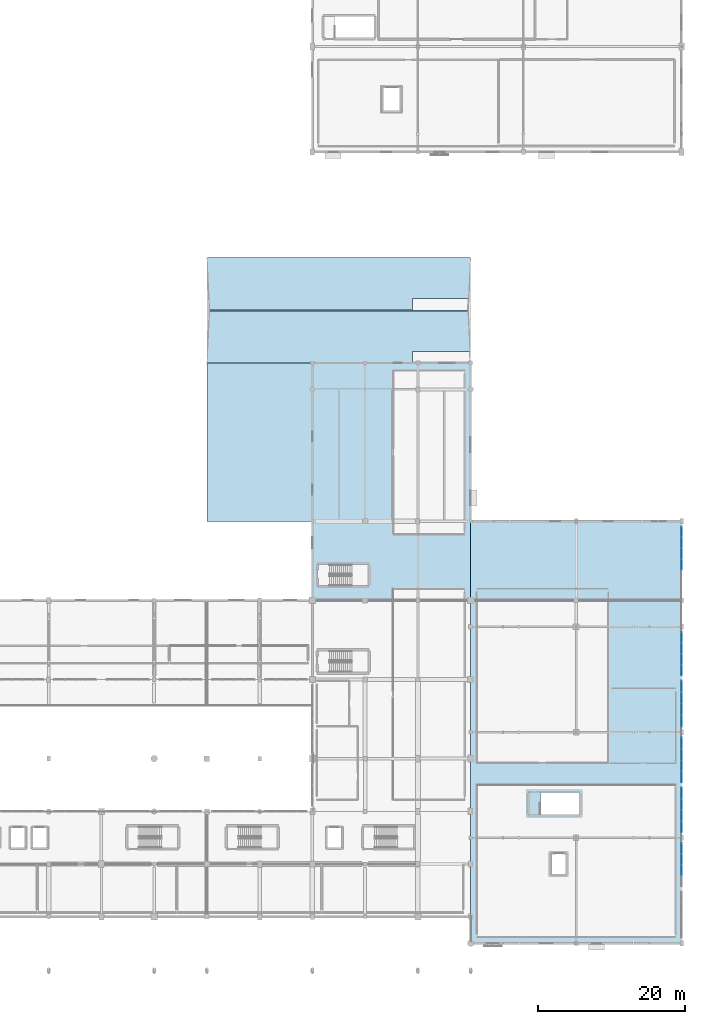
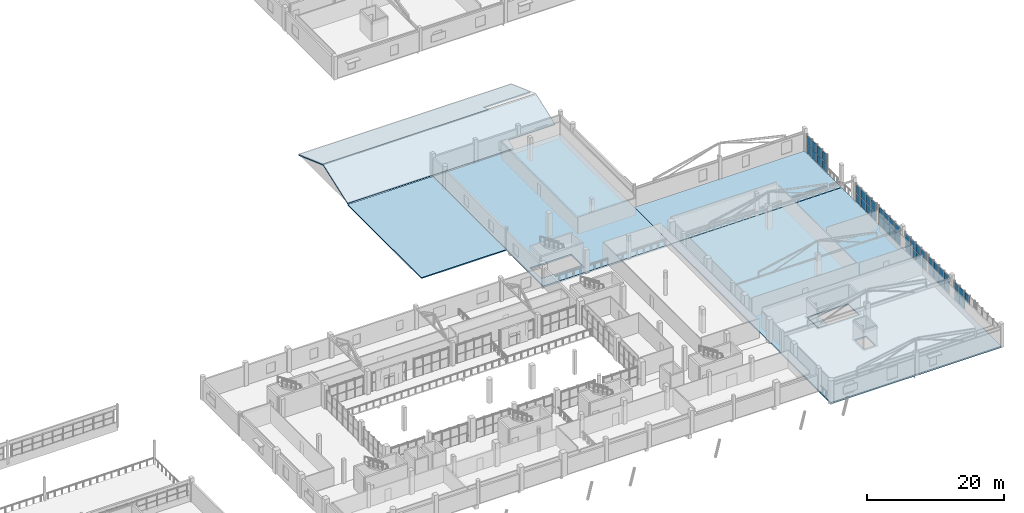
# One storey, part 57 of 92: 45 plates, 7 slabs, 6 elements without a shape of their own.
"""IFC4 building model written with IfcOpenShell, lengths in metres."""

from ifc_helpers import new_model, si_unit, direction, frame, origin, origin_2d, place, context, subcontext, project, spatial, polyline, rectangle, outline, extrude, material, layer, layer_set, type_object, element, aggregate, save


model = new_model("IFC4")

# Units and contexts
model_context = context("Model", 3, precision=1e-05, world=origin(), true_north=direction((0.0, 1.0)))
body_context = subcontext(model_context, "Body", "Model", "MODEL_VIEW")
ifc_project = project(units=[si_unit("LENGTHUNIT", "METRE"), si_unit("AREAUNIT", "SQUARE_METRE"), si_unit("VOLUMEUNIT", "CUBIC_METRE"), si_unit("PLANEANGLEUNIT", "RADIAN"), si_unit("MASSUNIT", "GRAM", prefix="KILO")], contexts=[model_context])

# Site, building, storey
site_placement = place(None, origin())
site = spatial("IfcSite", under=ifc_project, at=site_placement, CompositionType="ELEMENT")
building_placement = place(site_placement, origin())
building = spatial("IfcBuilding", under=site, at=building_placement, Name="Solanera Park Tramway Depot", CompositionType="ELEMENT")
storey_placement = place(building_placement, frame((0.0, 0.0, 4.800048828125)))
storey = spatial("IfcBuildingStorey", under=building, at=storey_placement, Name="L01", CompositionType="ELEMENT", Elevation=4.800048828125)

# Curtain wall, plates
ifc_material_1 = material(Name="Bronze-anodised thermally broken aluminium curtain wall", Category="aluminium")
curtain_wall_type = type_object("IfcCurtainWallType", Name="Parkfront Loggia Curtain Wall", PredefinedType="NOTDEFINED", material=ifc_material_1)
curtain_wall_1_placement = place(storey_placement, origin())
curtain_wall_1 = element("IfcCurtainWall", 1, at=curtain_wall_1_placement, inside=storey, type_object=curtain_wall_type, Name="L01 Parkfront Loggia Curtain Wall #134", PredefinedType="NOTDEFINED")
ifc_material_2 = material(Name="Low-E laminated solar-control double glazing", Category="glass")
ifc_layer_1 = layer(ifc_material_2, 0.028076171875)
ifc_layer_set_1 = layer_set([ifc_layer_1], Name="Low-E laminated solar-control double glazing")
plate_type = type_object("IfcPlateType", Name="Curtain Wall Double Glazing Panel 28", PredefinedType="CURTAIN_PANEL", material=ifc_layer_set_1)
plate_1_placement = place(storey_placement, frame((216.0, 18.64990234375, 0.11181640625), z_axis=(0.0, 0.0, 1.0), x_axis=(0.0, 1.0, 0.0)))
plate_1 = element("IfcPlate", 2, at=plate_1_placement, type_object=plate_type, Name="CW-L01-134 Glazing Panel R1.C3", PredefinedType="CURTAIN_PANEL", context=body_context, shape_type="SweptSolid", body=[
    extrude(rectangle(XDim=1.447998046875, YDim=0.028076171875, at=origin_2d()), origin(), (0.0, 0.0, 1.0), 1.510986328125),
])
plate_2_placement = place(storey_placement, frame((216.0, 20.1337890625, 0.11181640625), z_axis=(0.0, 0.0, 1.0), x_axis=(0.0, 1.0, 0.0)))
plate_2 = element("IfcPlate", 3, at=plate_2_placement, type_object=plate_type, Name="CW-L01-134 Glazing Panel R1.C4", PredefinedType="CURTAIN_PANEL", context=body_context, shape_type="SweptSolid", body=[
    extrude(rectangle(XDim=1.41552734375, YDim=0.028076171875, at=origin_2d()), origin(), (0.0, 0.0, 1.0), 1.510986328125),
])
plate_3_placement = place(storey_placement, frame((216.0, 17.14990234375, 1.72705078125), z_axis=(0.0, 0.0, 1.0), x_axis=(0.0, 1.0, 0.0)))
plate_3 = element("IfcPlate", 4, at=plate_3_placement, type_object=plate_type, Name="CW-L01-134 Glazing Panel R2.C2", PredefinedType="CURTAIN_PANEL", context=body_context, shape_type="SweptSolid", body=[
    extrude(rectangle(XDim=1.447998046875, YDim=0.028076171875, at=origin_2d()), origin(), (0.0, 0.0, 1.0), 1.510986328125),
])
plate_4_placement = place(storey_placement, frame((216.0, 18.64990234375, 1.72705078125), z_axis=(0.0, 0.0, 1.0), x_axis=(0.0, 1.0, 0.0)))
plate_4 = element("IfcPlate", 5, at=plate_4_placement, type_object=plate_type, Name="CW-L01-134 Glazing Panel R2.C3", PredefinedType="CURTAIN_PANEL", context=body_context, shape_type="SweptSolid", body=[
    extrude(rectangle(XDim=1.447998046875, YDim=0.028076171875, at=origin_2d()), origin(), (0.0, 0.0, 1.0), 1.510986328125),
])
plate_5_placement = place(storey_placement, frame((216.0, 20.1337890625, 1.72705078125), z_axis=(0.0, 0.0, 1.0), x_axis=(0.0, 1.0, 0.0)))
plate_5 = element("IfcPlate", 6, at=plate_5_placement, type_object=plate_type, Name="CW-L01-134 Glazing Panel R2.C4", PredefinedType="CURTAIN_PANEL", context=body_context, shape_type="SweptSolid", body=[
    extrude(rectangle(XDim=1.41552734375, YDim=0.028076171875, at=origin_2d()), origin(), (0.0, 0.0, 1.0), 1.510986328125),
])
aggregate(curtain_wall_1, [plate_1, plate_2, plate_3, plate_4, plate_5])

curtain_wall_2_placement = place(storey_placement, origin())
curtain_wall_2 = element("IfcCurtainWall", 7, at=curtain_wall_2_placement, inside=storey, type_object=curtain_wall_type, Name="L01 Parkfront Loggia Curtain Wall #135", PredefinedType="NOTDEFINED")
plate_6_placement = place(storey_placement, frame((216.0, 23.09130859375, 0.11181640625), z_axis=(0.0, 0.0, 1.0), x_axis=(0.0, 1.0, 0.0)))
plate_6 = element("IfcPlate", 8, at=plate_6_placement, type_object=plate_type, Name="CW-L01-135 Glazing Panel R1.C1", PredefinedType="CURTAIN_PANEL", context=body_context, shape_type="SweptSolid", body=[
    extrude(rectangle(XDim=1.465576171875, YDim=0.028076171875, at=origin_2d()), origin(), (0.0, 0.0, 1.0), 1.510986328125),
])
plate_7_placement = place(storey_placement, frame((216.0, 24.625, 0.11181640625), z_axis=(0.0, 0.0, 1.0), x_axis=(0.0, 1.0, 0.0)))
plate_7 = element("IfcPlate", 9, at=plate_7_placement, type_object=plate_type, Name="CW-L01-135 Glazing Panel R1.C2", PredefinedType="CURTAIN_PANEL", context=body_context, shape_type="SweptSolid", body=[
    extrude(rectangle(XDim=1.498046875, YDim=0.028076171875, at=origin_2d()), origin(), (0.0, 0.0, 1.0), 1.510986328125),
])
plate_8_placement = place(storey_placement, frame((216.0, 26.175048828125, 0.11181640625), z_axis=(0.0, 0.0, 1.0), x_axis=(0.0, 1.0, 0.0)))
plate_8 = element("IfcPlate", 10, at=plate_8_placement, type_object=plate_type, Name="CW-L01-135 Glazing Panel R1.C3", PredefinedType="CURTAIN_PANEL", context=body_context, shape_type="SweptSolid", body=[
    extrude(rectangle(XDim=1.498046875, YDim=0.028076171875, at=origin_2d()), origin(), (0.0, 0.0, 1.0), 1.510986328125),
])
plate_9_placement = place(storey_placement, frame((216.0, 27.708740234375, 0.11181640625), z_axis=(0.0, 0.0, 1.0), x_axis=(0.0, 1.0, 0.0)))
plate_9 = element("IfcPlate", 11, at=plate_9_placement, type_object=plate_type, Name="CW-L01-135 Glazing Panel R1.C4", PredefinedType="CURTAIN_PANEL", context=body_context, shape_type="SweptSolid", body=[
    extrude(rectangle(XDim=1.465576171875, YDim=0.028076171875, at=origin_2d()), origin(), (0.0, 0.0, 1.0), 1.510986328125),
])
plate_10_placement = place(storey_placement, frame((216.0, 23.09130859375, 1.72705078125), z_axis=(0.0, 0.0, 1.0), x_axis=(0.0, 1.0, 0.0)))
plate_10 = element("IfcPlate", 12, at=plate_10_placement, type_object=plate_type, Name="CW-L01-135 Glazing Panel R2.C1", PredefinedType="CURTAIN_PANEL", context=body_context, shape_type="SweptSolid", body=[
    extrude(rectangle(XDim=1.465576171875, YDim=0.028076171875, at=origin_2d()), origin(), (0.0, 0.0, 1.0), 1.510986328125),
])
plate_11_placement = place(storey_placement, frame((216.0, 24.625, 1.72705078125), z_axis=(0.0, 0.0, 1.0), x_axis=(0.0, 1.0, 0.0)))
plate_11 = element("IfcPlate", 13, at=plate_11_placement, type_object=plate_type, Name="CW-L01-135 Glazing Panel R2.C2", PredefinedType="CURTAIN_PANEL", context=body_context, shape_type="SweptSolid", body=[
    extrude(rectangle(XDim=1.498046875, YDim=0.028076171875, at=origin_2d()), origin(), (0.0, 0.0, 1.0), 1.510986328125),
])
plate_12_placement = place(storey_placement, frame((216.0, 26.175048828125, 1.72705078125), z_axis=(0.0, 0.0, 1.0), x_axis=(0.0, 1.0, 0.0)))
plate_12 = element("IfcPlate", 14, at=plate_12_placement, type_object=plate_type, Name="CW-L01-135 Glazing Panel R2.C3", PredefinedType="CURTAIN_PANEL", context=body_context, shape_type="SweptSolid", body=[
    extrude(rectangle(XDim=1.498046875, YDim=0.028076171875, at=origin_2d()), origin(), (0.0, 0.0, 1.0), 1.510986328125),
])
plate_13_placement = place(storey_placement, frame((216.0, 27.708740234375, 1.72705078125), z_axis=(0.0, 0.0, 1.0), x_axis=(0.0, 1.0, 0.0)))
plate_13 = element("IfcPlate", 15, at=plate_13_placement, type_object=plate_type, Name="CW-L01-135 Glazing Panel R2.C4", PredefinedType="CURTAIN_PANEL", context=body_context, shape_type="SweptSolid", body=[
    extrude(rectangle(XDim=1.465576171875, YDim=0.028076171875, at=origin_2d()), origin(), (0.0, 0.0, 1.0), 1.510986328125),
])
aggregate(curtain_wall_2, [plate_6, plate_7, plate_8, plate_9, plate_10, plate_11, plate_12, plate_13])

curtain_wall_3_placement = place(storey_placement, origin())
curtain_wall_3 = element("IfcCurtainWall", 16, at=curtain_wall_3_placement, inside=storey, type_object=curtain_wall_type, Name="L01 Parkfront Loggia Curtain Wall #136", PredefinedType="NOTDEFINED")
plate_14_placement = place(storey_placement, frame((216.0, 29.89111328125, 0.11181640625), z_axis=(0.0, 0.0, 1.0), x_axis=(0.0, 1.0, 0.0)))
plate_14 = element("IfcPlate", 17, at=plate_14_placement, type_object=plate_type, Name="CW-L01-136 Glazing Panel R1.C1", PredefinedType="CURTAIN_PANEL", context=body_context, shape_type="SweptSolid", body=[
    extrude(rectangle(XDim=1.465576171875, YDim=0.028076171875, at=origin_2d()), origin(), (0.0, 0.0, 1.0), 1.510986328125),
])
plate_15_placement = place(storey_placement, frame((216.0, 31.425048828125, 0.11181640625), z_axis=(0.0, 0.0, 1.0), x_axis=(0.0, 1.0, 0.0)))
plate_15 = element("IfcPlate", 18, at=plate_15_placement, type_object=plate_type, Name="CW-L01-136 Glazing Panel R1.C2", PredefinedType="CURTAIN_PANEL", context=body_context, shape_type="SweptSolid", body=[
    extrude(rectangle(XDim=1.498046875, YDim=0.028076171875, at=origin_2d()), origin(), (0.0, 0.0, 1.0), 1.510986328125),
])
plate_16_placement = place(storey_placement, frame((216.0, 32.97509765625, 0.11181640625), z_axis=(0.0, 0.0, 1.0), x_axis=(0.0, 1.0, 0.0)))
plate_16 = element("IfcPlate", 19, at=plate_16_placement, type_object=plate_type, Name="CW-L01-136 Glazing Panel R1.C3", PredefinedType="CURTAIN_PANEL", context=body_context, shape_type="SweptSolid", body=[
    extrude(rectangle(XDim=1.498046875, YDim=0.028076171875, at=origin_2d()), origin(), (0.0, 0.0, 1.0), 1.510986328125),
])
plate_17_placement = place(storey_placement, frame((216.0, 34.5087890625, 0.11181640625), z_axis=(0.0, 0.0, 1.0), x_axis=(0.0, 1.0, 0.0)))
plate_17 = element("IfcPlate", 20, at=plate_17_placement, type_object=plate_type, Name="CW-L01-136 Glazing Panel R1.C4", PredefinedType="CURTAIN_PANEL", context=body_context, shape_type="SweptSolid", body=[
    extrude(rectangle(XDim=1.465576171875, YDim=0.028076171875, at=origin_2d()), origin(), (0.0, 0.0, 1.0), 1.510986328125),
])
plate_18_placement = place(storey_placement, frame((216.0, 29.89111328125, 1.72705078125), z_axis=(0.0, 0.0, 1.0), x_axis=(0.0, 1.0, 0.0)))
plate_18 = element("IfcPlate", 21, at=plate_18_placement, type_object=plate_type, Name="CW-L01-136 Glazing Panel R2.C1", PredefinedType="CURTAIN_PANEL", context=body_context, shape_type="SweptSolid", body=[
    extrude(rectangle(XDim=1.465576171875, YDim=0.028076171875, at=origin_2d()), origin(), (0.0, 0.0, 1.0), 1.510986328125),
])
plate_19_placement = place(storey_placement, frame((216.0, 31.425048828125, 1.72705078125), z_axis=(0.0, 0.0, 1.0), x_axis=(0.0, 1.0, 0.0)))
plate_19 = element("IfcPlate", 22, at=plate_19_placement, type_object=plate_type, Name="CW-L01-136 Glazing Panel R2.C2", PredefinedType="CURTAIN_PANEL", context=body_context, shape_type="SweptSolid", body=[
    extrude(rectangle(XDim=1.498046875, YDim=0.028076171875, at=origin_2d()), origin(), (0.0, 0.0, 1.0), 1.510986328125),
])
plate_20_placement = place(storey_placement, frame((216.0, 32.97509765625, 1.72705078125), z_axis=(0.0, 0.0, 1.0), x_axis=(0.0, 1.0, 0.0)))
plate_20 = element("IfcPlate", 23, at=plate_20_placement, type_object=plate_type, Name="CW-L01-136 Glazing Panel R2.C3", PredefinedType="CURTAIN_PANEL", context=body_context, shape_type="SweptSolid", body=[
    extrude(rectangle(XDim=1.498046875, YDim=0.028076171875, at=origin_2d()), origin(), (0.0, 0.0, 1.0), 1.510986328125),
])
plate_21_placement = place(storey_placement, frame((216.0, 34.5087890625, 1.72705078125), z_axis=(0.0, 0.0, 1.0), x_axis=(0.0, 1.0, 0.0)))
plate_21 = element("IfcPlate", 24, at=plate_21_placement, type_object=plate_type, Name="CW-L01-136 Glazing Panel R2.C4", PredefinedType="CURTAIN_PANEL", context=body_context, shape_type="SweptSolid", body=[
    extrude(rectangle(XDim=1.465576171875, YDim=0.028076171875, at=origin_2d()), origin(), (0.0, 0.0, 1.0), 1.510986328125),
])
aggregate(curtain_wall_3, [plate_14, plate_15, plate_16, plate_17, plate_18, plate_19, plate_20, plate_21])

curtain_wall_4_placement = place(storey_placement, origin())
curtain_wall_4 = element("IfcCurtainWall", 25, at=curtain_wall_4_placement, inside=storey, type_object=curtain_wall_type, Name="L01 Parkfront Loggia Curtain Wall #137", PredefinedType="NOTDEFINED")
plate_22_placement = place(storey_placement, frame((216.0, 37.51611328125, 0.11181640625), z_axis=(0.0, 0.0, 1.0), x_axis=(0.0, 1.0, 0.0)))
plate_22 = element("IfcPlate", 26, at=plate_22_placement, type_object=plate_type, Name="CW-L01-137 Glazing Panel R1.C1", PredefinedType="CURTAIN_PANEL", context=body_context, shape_type="SweptSolid", body=[
    extrude(rectangle(XDim=1.515380859375, YDim=0.028076171875, at=origin_2d()), origin(), (0.0, 0.0, 1.0), 1.510986328125),
])
plate_23_placement = place(storey_placement, frame((216.0, 39.10009765625, 0.11181640625), z_axis=(0.0, 0.0, 1.0), x_axis=(0.0, 1.0, 0.0)))
plate_23 = element("IfcPlate", 27, at=plate_23_placement, type_object=plate_type, Name="CW-L01-137 Glazing Panel R1.C2", PredefinedType="CURTAIN_PANEL", context=body_context, shape_type="SweptSolid", body=[
    extrude(rectangle(XDim=1.548095703125, YDim=0.028076171875, at=origin_2d()), origin(), (0.0, 0.0, 1.0), 1.510986328125),
])
plate_24_placement = place(storey_placement, frame((216.0, 40.699951171875, 0.11181640625), z_axis=(0.0, 0.0, 1.0), x_axis=(0.0, 1.0, 0.0)))
plate_24 = element("IfcPlate", 28, at=plate_24_placement, type_object=plate_type, Name="CW-L01-137 Glazing Panel R1.C3", PredefinedType="CURTAIN_PANEL", context=body_context, shape_type="SweptSolid", body=[
    extrude(rectangle(XDim=1.548095703125, YDim=0.028076171875, at=origin_2d()), origin(), (0.0, 0.0, 1.0), 1.510986328125),
])
plate_25_placement = place(storey_placement, frame((216.0, 42.28369140625, 0.11181640625), z_axis=(0.0, 0.0, 1.0), x_axis=(0.0, 1.0, 0.0)))
plate_25 = element("IfcPlate", 29, at=plate_25_placement, type_object=plate_type, Name="CW-L01-137 Glazing Panel R1.C4", PredefinedType="CURTAIN_PANEL", context=body_context, shape_type="SweptSolid", body=[
    extrude(rectangle(XDim=1.515380859375, YDim=0.028076171875, at=origin_2d()), origin(), (0.0, 0.0, 1.0), 1.510986328125),
])
plate_26_placement = place(storey_placement, frame((216.0, 37.51611328125, 1.72705078125), z_axis=(0.0, 0.0, 1.0), x_axis=(0.0, 1.0, 0.0)))
plate_26 = element("IfcPlate", 30, at=plate_26_placement, type_object=plate_type, Name="CW-L01-137 Glazing Panel R2.C1", PredefinedType="CURTAIN_PANEL", context=body_context, shape_type="SweptSolid", body=[
    extrude(rectangle(XDim=1.515380859375, YDim=0.028076171875, at=origin_2d()), origin(), (0.0, 0.0, 1.0), 1.510986328125),
])
plate_27_placement = place(storey_placement, frame((216.0, 39.10009765625, 1.72705078125), z_axis=(0.0, 0.0, 1.0), x_axis=(0.0, 1.0, 0.0)))
plate_27 = element("IfcPlate", 31, at=plate_27_placement, type_object=plate_type, Name="CW-L01-137 Glazing Panel R2.C2", PredefinedType="CURTAIN_PANEL", context=body_context, shape_type="SweptSolid", body=[
    extrude(rectangle(XDim=1.548095703125, YDim=0.028076171875, at=origin_2d()), origin(), (0.0, 0.0, 1.0), 1.510986328125),
])
plate_28_placement = place(storey_placement, frame((216.0, 40.699951171875, 1.72705078125), z_axis=(0.0, 0.0, 1.0), x_axis=(0.0, 1.0, 0.0)))
plate_28 = element("IfcPlate", 32, at=plate_28_placement, type_object=plate_type, Name="CW-L01-137 Glazing Panel R2.C3", PredefinedType="CURTAIN_PANEL", context=body_context, shape_type="SweptSolid", body=[
    extrude(rectangle(XDim=1.548095703125, YDim=0.028076171875, at=origin_2d()), origin(), (0.0, 0.0, 1.0), 1.510986328125),
])
plate_29_placement = place(storey_placement, frame((216.0, 42.28369140625, 1.72705078125), z_axis=(0.0, 0.0, 1.0), x_axis=(0.0, 1.0, 0.0)))
plate_29 = element("IfcPlate", 33, at=plate_29_placement, type_object=plate_type, Name="CW-L01-137 Glazing Panel R2.C4", PredefinedType="CURTAIN_PANEL", context=body_context, shape_type="SweptSolid", body=[
    extrude(rectangle(XDim=1.515380859375, YDim=0.028076171875, at=origin_2d()), origin(), (0.0, 0.0, 1.0), 1.510986328125),
])
aggregate(curtain_wall_4, [plate_22, plate_23, plate_24, plate_25, plate_26, plate_27, plate_28, plate_29])

curtain_wall_5_placement = place(storey_placement, origin())
curtain_wall_5 = element("IfcCurtainWall", 34, at=curtain_wall_5_placement, inside=storey, type_object=curtain_wall_type, Name="L01 Parkfront Loggia Curtain Wall #138", PredefinedType="NOTDEFINED")
plate_30_placement = place(storey_placement, frame((216.0, 44.46630859375, 0.11181640625), z_axis=(0.0, 0.0, 1.0), x_axis=(0.0, 1.0, 0.0)))
plate_30 = element("IfcPlate", 35, at=plate_30_placement, type_object=plate_type, Name="CW-L01-138 Glazing Panel R1.C1", PredefinedType="CURTAIN_PANEL", context=body_context, shape_type="SweptSolid", body=[
    extrude(rectangle(XDim=1.41552734375, YDim=0.028076171875, at=origin_2d()), origin(), (0.0, 0.0, 1.0), 1.510986328125),
])
plate_31_placement = place(storey_placement, frame((216.0, 45.949951171875, 0.11181640625), z_axis=(0.0, 0.0, 1.0), x_axis=(0.0, 1.0, 0.0)))
plate_31 = element("IfcPlate", 36, at=plate_31_placement, type_object=plate_type, Name="CW-L01-138 Glazing Panel R1.C2", PredefinedType="CURTAIN_PANEL", context=body_context, shape_type="SweptSolid", body=[
    extrude(rectangle(XDim=1.447998046875, YDim=0.028076171875, at=origin_2d()), origin(), (0.0, 0.0, 1.0), 1.510986328125),
])
plate_32_placement = place(storey_placement, frame((216.0, 47.449951171875, 0.11181640625), z_axis=(0.0, 0.0, 1.0), x_axis=(0.0, 1.0, 0.0)))
plate_32 = element("IfcPlate", 37, at=plate_32_placement, type_object=plate_type, Name="CW-L01-138 Glazing Panel R1.C3", PredefinedType="CURTAIN_PANEL", context=body_context, shape_type="SweptSolid", body=[
    extrude(rectangle(XDim=1.447998046875, YDim=0.028076171875, at=origin_2d()), origin(), (0.0, 0.0, 1.0), 1.510986328125),
])
plate_33_placement = place(storey_placement, frame((216.0, 48.933837890625, 0.11181640625), z_axis=(0.0, 0.0, 1.0), x_axis=(0.0, 1.0, 0.0)))
plate_33 = element("IfcPlate", 38, at=plate_33_placement, type_object=plate_type, Name="CW-L01-138 Glazing Panel R1.C4", PredefinedType="CURTAIN_PANEL", context=body_context, shape_type="SweptSolid", body=[
    extrude(rectangle(XDim=1.41552734375, YDim=0.028076171875, at=origin_2d()), origin(), (0.0, 0.0, 1.0), 1.510986328125),
])
plate_34_placement = place(storey_placement, frame((216.0, 44.46630859375, 1.72705078125), z_axis=(0.0, 0.0, 1.0), x_axis=(0.0, 1.0, 0.0)))
plate_34 = element("IfcPlate", 39, at=plate_34_placement, type_object=plate_type, Name="CW-L01-138 Glazing Panel R2.C1", PredefinedType="CURTAIN_PANEL", context=body_context, shape_type="SweptSolid", body=[
    extrude(rectangle(XDim=1.41552734375, YDim=0.028076171875, at=origin_2d()), origin(), (0.0, 0.0, 1.0), 1.510986328125),
])
plate_35_placement = place(storey_placement, frame((216.0, 45.949951171875, 1.72705078125), z_axis=(0.0, 0.0, 1.0), x_axis=(0.0, 1.0, 0.0)))
plate_35 = element("IfcPlate", 40, at=plate_35_placement, type_object=plate_type, Name="CW-L01-138 Glazing Panel R2.C2", PredefinedType="CURTAIN_PANEL", context=body_context, shape_type="SweptSolid", body=[
    extrude(rectangle(XDim=1.447998046875, YDim=0.028076171875, at=origin_2d()), origin(), (0.0, 0.0, 1.0), 1.510986328125),
])
plate_36_placement = place(storey_placement, frame((216.0, 47.449951171875, 1.72705078125), z_axis=(0.0, 0.0, 1.0), x_axis=(0.0, 1.0, 0.0)))
plate_36 = element("IfcPlate", 41, at=plate_36_placement, type_object=plate_type, Name="CW-L01-138 Glazing Panel R2.C3", PredefinedType="CURTAIN_PANEL", context=body_context, shape_type="SweptSolid", body=[
    extrude(rectangle(XDim=1.447998046875, YDim=0.028076171875, at=origin_2d()), origin(), (0.0, 0.0, 1.0), 1.510986328125),
])
plate_37_placement = place(storey_placement, frame((216.0, 48.933837890625, 1.72705078125), z_axis=(0.0, 0.0, 1.0), x_axis=(0.0, 1.0, 0.0)))
plate_37 = element("IfcPlate", 42, at=plate_37_placement, type_object=plate_type, Name="CW-L01-138 Glazing Panel R2.C4", PredefinedType="CURTAIN_PANEL", context=body_context, shape_type="SweptSolid", body=[
    extrude(rectangle(XDim=1.41552734375, YDim=0.028076171875, at=origin_2d()), origin(), (0.0, 0.0, 1.0), 1.510986328125),
])
aggregate(curtain_wall_5, [plate_30, plate_31, plate_32, plate_33, plate_34, plate_35, plate_36, plate_37])

curtain_wall_6_placement = place(storey_placement, origin())
curtain_wall_6 = element("IfcCurtainWall", 43, at=curtain_wall_6_placement, inside=storey, type_object=curtain_wall_type, Name="L01 Parkfront Loggia Curtain Wall #139", PredefinedType="NOTDEFINED")
plate_38_placement = place(storey_placement, frame((216.0, 58.8662109375, 0.11181640625), z_axis=(0.0, 0.0, 1.0), x_axis=(0.0, 1.0, 0.0)))
plate_38 = element("IfcPlate", 44, at=plate_38_placement, type_object=plate_type, Name="CW-L01-139 Glazing Panel R1.C1", PredefinedType="CURTAIN_PANEL", context=body_context, shape_type="SweptSolid", body=[
    extrude(rectangle(XDim=1.41552734375, YDim=0.028076171875, at=origin_2d()), origin(), (0.0, 0.0, 1.0), 1.510986328125),
])
plate_39_placement = place(storey_placement, frame((216.0, 60.35009765625, 0.11181640625), z_axis=(0.0, 0.0, 1.0), x_axis=(0.0, 1.0, 0.0)))
plate_39 = element("IfcPlate", 45, at=plate_39_placement, type_object=plate_type, Name="CW-L01-139 Glazing Panel R1.C2", PredefinedType="CURTAIN_PANEL", context=body_context, shape_type="SweptSolid", body=[
    extrude(rectangle(XDim=1.447998046875, YDim=0.028076171875, at=origin_2d()), origin(), (0.0, 0.0, 1.0), 1.510986328125),
])
plate_40_placement = place(storey_placement, frame((216.0, 61.85009765625, 0.11181640625), z_axis=(0.0, 0.0, 1.0), x_axis=(0.0, 1.0, 0.0)))
plate_40 = element("IfcPlate", 46, at=plate_40_placement, type_object=plate_type, Name="CW-L01-139 Glazing Panel R1.C3", PredefinedType="CURTAIN_PANEL", context=body_context, shape_type="SweptSolid", body=[
    extrude(rectangle(XDim=1.447998046875, YDim=0.028076171875, at=origin_2d()), origin(), (0.0, 0.0, 1.0), 1.510986328125),
])
plate_41_placement = place(storey_placement, frame((216.0, 63.333740234375, 0.11181640625), z_axis=(0.0, 0.0, 1.0), x_axis=(0.0, 1.0, 0.0)))
plate_41 = element("IfcPlate", 47, at=plate_41_placement, type_object=plate_type, Name="CW-L01-139 Glazing Panel R1.C4", PredefinedType="CURTAIN_PANEL", context=body_context, shape_type="SweptSolid", body=[
    extrude(rectangle(XDim=1.41552734375, YDim=0.028076171875, at=origin_2d()), origin(), (0.0, 0.0, 1.0), 1.510986328125),
])
plate_42_placement = place(storey_placement, frame((216.0, 58.8662109375, 1.72705078125), z_axis=(0.0, 0.0, 1.0), x_axis=(0.0, 1.0, 0.0)))
plate_42 = element("IfcPlate", 48, at=plate_42_placement, type_object=plate_type, Name="CW-L01-139 Glazing Panel R2.C1", PredefinedType="CURTAIN_PANEL", context=body_context, shape_type="SweptSolid", body=[
    extrude(rectangle(XDim=1.41552734375, YDim=0.028076171875, at=origin_2d()), origin(), (0.0, 0.0, 1.0), 1.510986328125),
])
plate_43_placement = place(storey_placement, frame((216.0, 60.35009765625, 1.72705078125), z_axis=(0.0, 0.0, 1.0), x_axis=(0.0, 1.0, 0.0)))
plate_43 = element("IfcPlate", 49, at=plate_43_placement, type_object=plate_type, Name="CW-L01-139 Glazing Panel R2.C2", PredefinedType="CURTAIN_PANEL", context=body_context, shape_type="SweptSolid", body=[
    extrude(rectangle(XDim=1.447998046875, YDim=0.028076171875, at=origin_2d()), origin(), (0.0, 0.0, 1.0), 1.510986328125),
])
plate_44_placement = place(storey_placement, frame((216.0, 61.85009765625, 1.72705078125), z_axis=(0.0, 0.0, 1.0), x_axis=(0.0, 1.0, 0.0)))
plate_44 = element("IfcPlate", 50, at=plate_44_placement, type_object=plate_type, Name="CW-L01-139 Glazing Panel R2.C3", PredefinedType="CURTAIN_PANEL", context=body_context, shape_type="SweptSolid", body=[
    extrude(rectangle(XDim=1.447998046875, YDim=0.028076171875, at=origin_2d()), origin(), (0.0, 0.0, 1.0), 1.510986328125),
])
plate_45_placement = place(storey_placement, frame((216.0, 63.333740234375, 1.72705078125), z_axis=(0.0, 0.0, 1.0), x_axis=(0.0, 1.0, 0.0)))
plate_45 = element("IfcPlate", 51, at=plate_45_placement, type_object=plate_type, Name="CW-L01-139 Glazing Panel R2.C4", PredefinedType="CURTAIN_PANEL", context=body_context, shape_type="SweptSolid", body=[
    extrude(rectangle(XDim=1.41552734375, YDim=0.028076171875, at=origin_2d()), origin(), (0.0, 0.0, 1.0), 1.510986328125),
])
aggregate(curtain_wall_6, [plate_38, plate_39, plate_40, plate_41, plate_42, plate_43, plate_44, plate_45])

# Slabs
ifc_material_3 = material(Name="Concrete N40 (C40/50)", Category="concrete")
ifc_layer_2 = layer(ifc_material_3, 0.25)
ifc_layer_set_2 = layer_set([ifc_layer_2], Name="Concrete N40 (C40/50)")
slab_type_1 = type_object("IfcSlabType", Name="Slab Floor 250", PredefinedType="FLOOR", material=ifc_layer_set_2)
slab_1_placement = place(storey_placement, frame((0.0, 0.0, -0.25)))
element("IfcSlab", 52, at=slab_1_placement, inside=storey, type_object=slab_type_1, Name="L01 Structural Slab SL-L01-V5S", PredefinedType="FLOOR", context=body_context, shape_type="SweptSolid", body=[
    extrude(outline(polyline([(187.199951171875, 53.949951171875), (216.0, 53.949951171875), (216.0, 7.199951171875), (187.199951171875, 7.199951171875), (187.199951171875, 53.949951171875)]), holes=[polyline([(195.074951171875, 27.824951171875), (195.074951171875, 24.675048828125), (202.0, 24.675048828125), (202.0, 27.824951171875), (195.074951171875, 27.824951171875)]), polyline([(200.14990234375, 19.35009765625), (198.25, 19.35009765625), (198.25, 16.64990234375), (200.14990234375, 16.64990234375), (200.14990234375, 19.35009765625)])]), origin(), (0.0, 0.0, 1.0), 0.25),
])
slab_2_placement = place(storey_placement, frame((0.0, 0.0, -0.25)))
element("IfcSlab", 53, at=slab_2_placement, inside=storey, type_object=slab_type_1, Name="L01 Structural Slab SL-L01-V5N", PredefinedType="FLOOR", context=body_context, shape_type="SweptSolid", body=[
    extrude(outline(polyline([(216.0, 54.0), (216.0, 64.800048828125), (187.199951171875, 64.800048828125), (187.199951171875, 54.0), (216.0, 54.0)])), origin(), (0.0, 0.0, 1.0), 0.25),
])
ifc_material_4 = material(Name="Concrete N40 (C40/50)", Category="concrete")
ifc_layer_3 = layer(ifc_material_4, 0.27490234375)
ifc_layer_set_3 = layer_set([ifc_layer_3], Name="Concrete N40 (C40/50)")
slab_type_2 = type_object("IfcSlabType", Name="Slab Floor 275", PredefinedType="FLOOR", material=ifc_layer_set_3)
slab_3_placement = place(storey_placement, frame((0.0, 0.0, -0.275146484375)))
element("IfcSlab", 54, at=slab_3_placement, inside=storey, type_object=slab_type_2, Name="L01 Structural Slab SL-L01-V4EN", PredefinedType="FLOOR", context=body_context, shape_type="SweptSolid", body=[
    extrude(outline(polyline([(165.60009765625, 54.0), (165.60009765625, 86.39990234375), (187.199951171875, 86.39990234375), (187.199951171875, 54.0), (165.60009765625, 54.0)]), holes=[polyline([(173.199951171875, 59.02490234375), (166.27490234375, 59.02490234375), (166.27490234375, 55.875), (173.199951171875, 55.875), (173.199951171875, 59.02490234375)])]), origin(), (0.0, 0.0, 1.0), 0.275146484375),
])
ifc_material_5 = material(Name="Concrete N40 (C40/50)", Category="concrete")
ifc_layer_4 = layer(ifc_material_5, 0.179931640625)
ifc_layer_set_4 = layer_set([ifc_layer_4], Name="Concrete N40 (C40/50)")
slab_type_3 = type_object("IfcSlabType", Name="Slab Roof 180", PredefinedType="ROOF", material=ifc_layer_set_4)
for number, where, z_axis, x_axis, name in (
    (55, (151.199951171875, 86.39990234375, 0.193359375), (-1.6668e-07, -0.338100768004, 0.941109914237), (1.0, -5.6355e-08, 1.56864e-07), "Pitched Roof Slab V4CP-RF.1"),
    (56, (151.199951171875, 93.66796875, 2.755615234375), (1.6668e-07, 0.338100768004, 0.941109914237), (1.0, -5.6355e-08, -1.56864e-07), "Pitched Roof Slab V4CP-RF.2"),
):
    element("IfcSlab", number, at=place(storey_placement, frame(where, z_axis=z_axis, x_axis=x_axis)), inside=storey, type_object=slab_type_3, Name=name, PredefinedType="ROOF", context=body_context, shape_type="SweptSolid", body=[
        extrude(outline(polyline([(0.0, 0.0), (28.08007812499961, -1.8581836979179498e-22), (28.08007812500161, 1.6672822490532722), (36.000000000001506, 1.6672822490532722), (35.999999999999936, 7.5783719445328135), (4.4006748036996113e-13, 7.5783719445328135), (0.0, 0.0)])), origin(), (0.0, 0.0, -1.0), 0.179931640625),
    ])
ifc_material_6 = material(Name="Concrete N40 (C40/50)", Category="concrete")
ifc_layer_5 = layer(ifc_material_6, 0.199951171875)
ifc_layer_set_5 = layer_set([ifc_layer_5], Name="Concrete N40 (C40/50)")
slab_type_4 = type_object("IfcSlabType", Name="Slab Roof 200", PredefinedType="ROOF", material=ifc_layer_set_5)
slab_4_placement = place(storey_placement, frame((0.0, 0.0, -0.199951171875)))
element("IfcSlab", 57, at=slab_4_placement, inside=storey, type_object=slab_type_4, Name="V4CP West Car Park Roof Slab", PredefinedType="ROOF", context=body_context, shape_type="SweptSolid", body=[
    extrude(outline(polyline([(151.199951171875, 64.800048828125), (165.60009765625, 64.800048828125), (165.60009765625, 86.39990234375), (151.199951171875, 86.39990234375), (151.199951171875, 64.800048828125)])), origin(), (0.0, 0.0, 1.0), 0.199951171875),
])
ifc_material_7 = material(Name="Concrete N40 (C40/50)", Category="concrete")
ifc_layer_6 = layer(ifc_material_7, 0.25)
ifc_layer_set_6 = layer_set([ifc_layer_6], Name="Concrete N40 (C40/50)")
slab_type_5 = type_object("IfcSlabType", Name="Slab Stair Floor Landing 250", PredefinedType="LANDING", material=ifc_layer_set_6)
slab_5_placement = place(storey_placement, frame((0.0, 0.0, -0.25)))
element("IfcSlab", 58, at=slab_5_placement, inside=storey, type_object=slab_type_5, Name="ST-10 L01 Floor Landing", PredefinedType="LANDING", context=body_context, shape_type="SweptSolid", body=[
    extrude(outline(polyline([(195.080078125, 24.679931640625), (196.699951171875, 24.679931640625), (196.699951171875, 27.820068359375), (195.080078125, 27.820068359375), (195.080078125, 24.679931640625)])), origin(), (0.0, 0.0, 1.0), 0.25),
])

save(model, "model.ifc")
